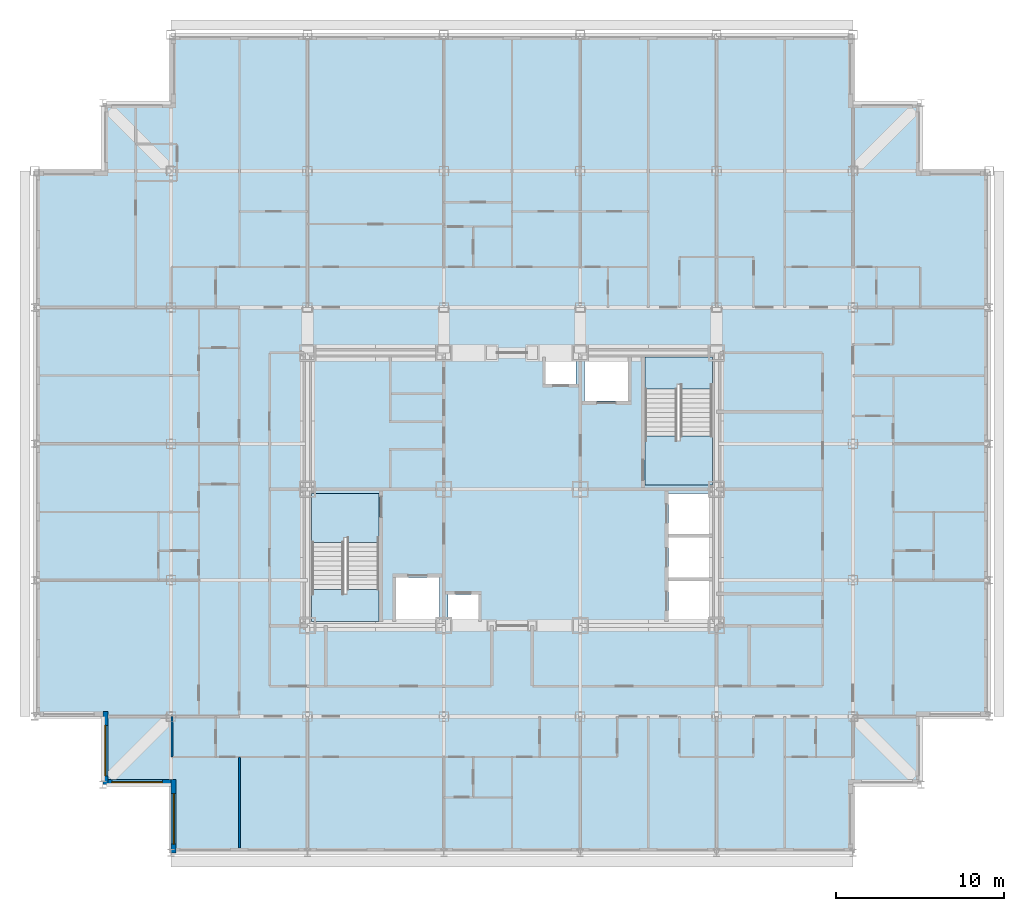
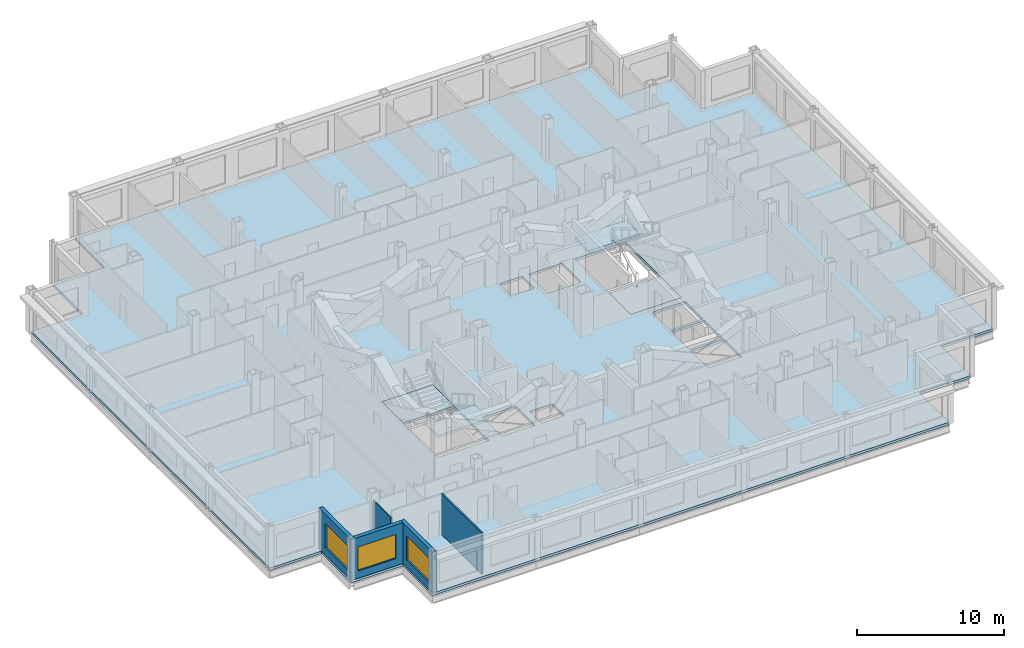
# One storey, part 3 of 12: 5 slabs, 5 walls, 3 windows, 3 openings, 2 elements without a shape of their own.
"""IFC4 building model written with IfcOpenShell, lengths in metres."""

import ifcopenshell
import ifcopenshell.guid

model = None  # the IFC model being written
_history = None  # IfcOwnerHistory: only IFC2X3 demands one
_inside = {}  # id of a spatial element -> (the spatial element, [elements in it])
_under = {}  # id of a project, library or spatial element -> (it, [spatial elements below it])
_declared = {}  # id of a project -> (the project, [libraries it declares])
_typed = {}  # id of a type object -> (the type object, [elements of that type])
_made_of = {}  # id of a material, layer set ... -> (it, [elements and type objects made of it])


def new_model(schema):
    """Start an empty IFC model of exactly this schema.

    Asked for "IFC4X3", IfcOpenShell would pick the latest addendum, in which some entities
    have other attributes; the version numbers below select the first issue.
    IFC2X3 requires an IfcOwnerHistory on every rooted entity: one is made here for all.
    """
    global model, _history
    if schema == "IFC4X3":
        model = ifcopenshell.file(schema_version=(4, 3, 0, 0))
    else:
        model = ifcopenshell.file(schema=schema)
    _inside.clear()
    _under.clear()
    _declared.clear()
    _typed.clear()
    _made_of.clear()
    _history = None
    if model.schema == "IFC2X3":
        org = make("IfcOrganization", Name="unknown")
        user = make(
            "IfcPersonAndOrganization",
            ThePerson=make("IfcPerson", FamilyName="unknown"),
            TheOrganization=org,
        )
        app = make(
            "IfcApplication",
            ApplicationDeveloper=org,
            Version="unknown",
            ApplicationFullName="unknown",
            ApplicationIdentifier="unknown",
        )
        _history = make(
            "IfcOwnerHistory",
            OwningUser=user,
            OwningApplication=app,
            ChangeAction="ADDED",
            CreationDate=0,
        )
    return model


def make(cls, **values):
    """One entity of the class cls with the attributes given. An attribute that is None is left unset."""
    return model.create_entity(
        cls, **{name: value for name, value in values.items() if value is not None}
    )


def rooted(cls, **values):
    """An entity with a GlobalId (a new one), such as an element, a storey or a relation."""
    return make(cls, GlobalId=ifcopenshell.guid.new(), OwnerHistory=_history, **values)


def si_unit(unit_type, name, prefix=None):
    """IfcSIUnit, for example si_unit("LENGTHUNIT", "METRE", prefix="MILLI")."""
    return make("IfcSIUnit", UnitType=unit_type, Prefix=prefix, Name=name)


def assignment(units):
    """IfcUnitAssignment: the units of a project."""
    return None if units is None else make("IfcUnitAssignment", Units=units)


def point(xyz):
    """IfcCartesianPoint."""
    return None if xyz is None else make("IfcCartesianPoint", Coordinates=xyz)


def direction(xyz):
    """IfcDirection."""
    return None if xyz is None else make("IfcDirection", DirectionRatios=xyz)


def frame(location, z_axis=None, x_axis=None):
    """IfcAxis2Placement3D, a coordinate frame: its origin and axes. An axis left out is left unset."""
    return make(
        "IfcAxis2Placement3D",
        Location=point(location),
        Axis=direction(z_axis),
        RefDirection=direction(x_axis),
    )


def frame_2d(location, x_axis=None):
    """IfcAxis2Placement2D, a coordinate frame in the plane: its origin and x axis."""
    return make(
        "IfcAxis2Placement2D", Location=point(location), RefDirection=direction(x_axis)
    )


def origin():
    """The frame at (0, 0, 0) with its axes left unset."""
    return frame((0.0, 0.0, 0.0))


def place(relative_to, where):
    """IfcLocalPlacement: puts the frame where relative to a parent placement (None: the world)."""
    return make(
        "IfcLocalPlacement", PlacementRelTo=relative_to, RelativePlacement=where
    )


def context(
    kind, dimensions, precision=None, world=None, true_north=None, identifier=None
):
    """IfcGeometricRepresentationContext, for example the 3D "Model" context."""
    return make(
        "IfcGeometricRepresentationContext",
        ContextIdentifier=identifier,
        ContextType=kind,
        CoordinateSpaceDimension=dimensions,
        Precision=precision,
        WorldCoordinateSystem=world,
        TrueNorth=true_north,
    )


def subcontext(parent, identifier, kind, view, scale=None):
    """IfcGeometricRepresentationSubContext, for example "Body" below "Model"."""
    return make(
        "IfcGeometricRepresentationSubContext",
        ContextIdentifier=identifier,
        ContextType=kind,
        ParentContext=parent,
        TargetScale=scale,
        TargetView=view,
    )


def project(units=None, contexts=None):
    """IfcProject with its units and contexts."""
    return rooted(
        "IfcProject",
        Name="project",
        RepresentationContexts=contexts,
        UnitsInContext=assignment(units),
    )


def spatial(cls, under=None, at=None, **own):
    """A site, building, storey or space (cls), placed at a placement, below another one or the project."""
    s = rooted(cls, ObjectPlacement=at, **own)
    if under is not None:
        _under.setdefault(under.id(), (under, []))[1].append(s)
    return s


def polyline(points):
    """IfcPolyline through the points."""
    return make("IfcPolyline", Points=[point(p) for p in points])


def profile(cls, at=None, kind="AREA", **sizes):
    """A parametric profile (cls). Its sizes go by their IFC names, for example OverallWidth=200.0."""
    return make(cls, ProfileType=kind, Position=at, **sizes)


def rectangle(**sizes):
    """IfcRectangleProfileDef."""
    return profile("IfcRectangleProfileDef", **sizes)


def outline(outer, holes=None, kind="AREA"):
    """IfcArbitraryClosedProfileDef: a profile drawn as a closed curve; with holes, ...WithVoids."""
    if holes is None:
        return make("IfcArbitraryClosedProfileDef", ProfileType=kind, OuterCurve=outer)
    return make(
        "IfcArbitraryProfileDefWithVoids",
        ProfileType=kind,
        OuterCurve=outer,
        InnerCurves=holes,
    )


def extrude(swept, where, along, depth):
    """IfcExtrudedAreaSolid: the profile swept, set in the frame where, extruded along a direction by depth."""
    return make(
        "IfcExtrudedAreaSolid",
        SweptArea=swept,
        Position=where,
        ExtrudedDirection=direction(along),
        Depth=depth,
    )


def shape(context_of_items, identifier, shape_type, items):
    """IfcShapeRepresentation: the items that make up one representation, for example the "Body"."""
    return make(
        "IfcShapeRepresentation",
        ContextOfItems=context_of_items,
        RepresentationIdentifier=identifier,
        RepresentationType=shape_type,
        Items=items,
    )


def material(Name=None, Category=None):
    """IfcMaterial."""
    return make("IfcMaterial", Name=Name, Category=Category)


def layer(
    of_material, thickness, ventilated=None, Name=None, Category=None, Priority=None
):
    """IfcMaterialLayer: one layer of a wall or slab, of a material (None: an air gap)."""
    return make(
        "IfcMaterialLayer",
        Material=of_material,
        LayerThickness=thickness,
        IsVentilated=ventilated,
        Name=Name,
        Category=Category,
        Priority=Priority,
    )


def layer_set(layers, Name=None):
    """IfcMaterialLayerSet."""
    return make("IfcMaterialLayerSet", MaterialLayers=layers, LayerSetName=Name)


def made_of(thing, what):
    """Note that an element or type object is made of a material, layer set ...; save() writes the relation."""
    if what is not None:
        _made_of.setdefault(what.id(), (what, []))[1].append(thing)
    return thing


def type_object(cls, material=None, **own):
    """A type object (cls), such as IfcWallType, which elements share."""
    return made_of(rooted(cls, **own), material)


def element(
    cls,
    number,
    at=None,
    inside=None,
    cuts=None,
    type_object=None,
    material=None,
    context=None,
    identifier="Body",
    shape_type=None,
    held_by="IfcProductDefinitionShape",
    body=None,
    shapes=None,
    **own,
):
    """One element of the class cls, such as IfcWall. Its Tag is "e" and its number.

    at: its placement. inside: the storey or other place that contains it. cuts: it is an
    opening in that element (IfcRelVoidsElement). A single representation is given by context,
    identifier, shape_type and body (its items); several are given by shapes. held_by: the class
    of the entity that holds the representations. save() writes the other relations.
    """
    e = rooted(cls, Tag="e%d" % number, ObjectPlacement=at, **own)
    if body is not None:
        shapes = [shape(context, identifier, shape_type, body)]
    if shapes is not None:
        e.Representation = make(held_by, Representations=shapes)
    if inside is not None:
        _inside.setdefault(inside.id(), (inside, []))[1].append(e)
    if cuts is not None:
        rooted(
            "IfcRelVoidsElement", RelatingBuildingElement=cuts, RelatedOpeningElement=e
        )
    if type_object is not None:
        _typed.setdefault(type_object.id(), (type_object, []))[1].append(e)
    return made_of(e, material)


def fill(opening, filler):
    """IfcRelFillsElement: the door or window that sits in an opening."""
    return rooted(
        "IfcRelFillsElement",
        RelatingOpeningElement=opening,
        RelatedBuildingElement=filler,
    )


def aggregate(whole, parts):
    """IfcRelAggregates: a whole, such as a stair, and the parts it consists of."""
    return rooted("IfcRelAggregates", RelatingObject=whole, RelatedObjects=parts)


def save(model, path):
    """Write the relations noted so far, then the file.

    IfcRelAggregates (storeys below a building ...), IfcRelContainedInSpatialStructure (elements
    in a storey), IfcRelDefinesByType, IfcRelAssociatesMaterial and IfcRelDeclares: one each for
    every whole, place, type object, material and project.
    """
    for whole, parts in _under.values():
        aggregate(whole, parts)
    for where, things in _inside.values():
        rooted(
            "IfcRelContainedInSpatialStructure",
            RelatedElements=things,
            RelatingStructure=where,
        )
    for kind, things in _typed.values():
        rooted("IfcRelDefinesByType", RelatedObjects=things, RelatingType=kind)
    for what, things in _made_of.values():
        rooted("IfcRelAssociatesMaterial", RelatedObjects=things, RelatingMaterial=what)
    for by, libraries in _declared.values():
        rooted("IfcRelDeclares", RelatingContext=by, RelatedDefinitions=libraries)
    model.write(path)


model = new_model("IFC4")

# Units and contexts
model_context = context("Model", 3, precision=1e-05, world=origin(), true_north=direction((0.0, 1.0)))
body_context = subcontext(model_context, "Body", "Model", "MODEL_VIEW")
ifc_project = project(units=[si_unit("LENGTHUNIT", "METRE"), si_unit("AREAUNIT", "SQUARE_METRE"), si_unit("VOLUMEUNIT", "CUBIC_METRE"), si_unit("PLANEANGLEUNIT", "RADIAN"), si_unit("MASSUNIT", "GRAM", prefix="KILO")], contexts=[model_context])

# Site, building, storey
site_placement = place(None, origin())
site = spatial("IfcSite", under=ifc_project, at=site_placement, CompositionType="ELEMENT")
building_placement = place(site_placement, origin())
building = spatial("IfcBuilding", under=site, at=building_placement, Name="Kopane Lantern Tower", CompositionType="ELEMENT")
storey_placement = place(building_placement, frame((0.0, 0.0, 217.199951171875)))
storey = spatial("IfcBuildingStorey", under=building, at=storey_placement, Name="L56", CompositionType="ELEMENT", Elevation=217.199951171875)

# Slab
ifc_material_1 = material(Name="Concrete C40/50", Category="concrete")
ifc_layer_1 = layer(ifc_material_1, 0.2099609375)
ifc_layer_set_1 = layer_set([ifc_layer_1], Name="SLAB 210 COMPOSITE")
slab_type_1 = type_object("IfcSlabType", Name="SLAB 210 COMPOSITE", PredefinedType="FLOOR", material=ifc_layer_set_1)
slab_1_placement = place(storey_placement, frame((0.0, 0.0, -0.2099609375)))
element("IfcSlab", 1, at=slab_1_placement, inside=storey, type_object=slab_type_1, Name="Floor slab L56", PredefinedType="FLOOR", context=body_context, shape_type="SweptSolid", body=[
    extrude(outline(polyline([(8.10009765625, 10.800048828125), (48.60009765625, 10.800048828125), (48.60009765625, 14.85009765625), (52.64990234375, 14.85009765625), (52.64990234375, 18.89990234375), (56.699951171875, 18.89990234375), (56.699951171875, 51.300048828125), (52.64990234375, 51.300048828125), (52.64990234375, 55.35009765625), (48.60009765625, 55.35009765625), (48.60009765625, 59.39990234375), (8.10009765625, 59.39990234375), (8.10009765625, 55.35009765625), (4.050048828125, 55.35009765625), (4.050048828125, 51.300048828125), (0.0, 51.300048828125), (0.0, 18.89990234375), (4.050048828125, 18.89990234375), (4.050048828125, 14.85009765625), (8.10009765625, 14.85009765625), (8.10009765625, 10.800048828125)]), holes=[polyline([(16.449951171875, 24.550048828125), (20.449951171875, 24.550048828125), (20.449951171875, 32.14990234375), (16.449951171875, 32.14990234375), (16.449951171875, 24.550048828125)]), polyline([(36.25, 32.64990234375), (40.25, 32.64990234375), (40.25, 40.25), (36.25, 40.25), (36.25, 32.64990234375)]), polyline([(37.64990234375, 24.550048828125), (40.25, 24.550048828125), (40.25, 26.949951171875), (37.64990234375, 26.949951171875), (37.64990234375, 24.550048828125)]), polyline([(37.64990234375, 27.14990234375), (40.25, 27.14990234375), (40.25, 29.550048828125), (37.64990234375, 29.550048828125), (37.64990234375, 27.14990234375)]), polyline([(37.64990234375, 29.75), (40.25, 29.75), (40.25, 32.14990234375), (37.64990234375, 32.14990234375), (37.64990234375, 29.75)]), polyline([(21.449951171875, 24.550048828125), (24.050048828125, 24.550048828125), (24.050048828125, 27.14990234375), (21.449951171875, 27.14990234375), (21.449951171875, 24.550048828125)]), polyline([(32.64990234375, 37.64990234375), (35.25, 37.64990234375), (35.25, 40.25), (32.64990234375, 40.25), (32.64990234375, 37.64990234375)]), polyline([(24.550048828125, 24.550048828125), (26.35009765625, 24.550048828125), (26.35009765625, 26.14990234375), (24.550048828125, 26.14990234375), (24.550048828125, 24.550048828125)]), polyline([(30.35009765625, 38.64990234375), (32.14990234375, 38.64990234375), (32.14990234375, 40.25), (30.35009765625, 40.25), (30.35009765625, 38.64990234375)])]), origin(), (0.0, 0.0, 1.0), 0.2099609375),
])

# Stair, slabs
ifc_material_2 = material(Name="Steel S355JR", Category="steel")
stair_type = type_object("IfcStairType", Name="EXIT STAIR 1900 HALF TURN", PredefinedType="HALF_TURN_STAIR", material=ifc_material_2)
stair_1_placement = place(storey_placement, origin())
stair_1 = element("IfcStair", 2, at=stair_1_placement, inside=storey, type_object=stair_type, Name="Exit stair ST1 L56", PredefinedType="HALF_TURN_STAIR")
ifc_material_3 = material(Name="Concrete C40/50", Category="concrete")
ifc_layer_2 = layer(ifc_material_3, 0.199951171875)
ifc_layer_set_2 = layer_set([ifc_layer_2], Name="STAIR LANDING 200")
slab_type_2 = type_object("IfcSlabType", Name="STAIR LANDING 200", PredefinedType="LANDING", material=ifc_layer_set_2)
slab_2_placement = place(storey_placement, frame((0.0, 0.0, -0.199951171875)))
slab_2 = element("IfcSlab", 3, at=slab_2_placement, type_object=slab_type_2, Name="ST1 landing 1", PredefinedType="LANDING", context=body_context, shape_type="SweptSolid", body=[
    extrude(outline(polyline([(18.35009765625, 29.530029296875), (18.550048828125, 29.530029296875), (18.550048828125, 29.25), (20.449951171875, 29.25), (20.449951171875, 32.14990234375), (16.449951171875, 32.14990234375), (16.449951171875, 29.25), (18.35009765625, 29.25), (18.35009765625, 29.530029296875)])), origin(), (0.0, 0.0, 1.0), 0.199951171875),
])
slab_3_placement = place(storey_placement, frame((0.0, 0.0, 1.60009765625)))
slab_3 = element("IfcSlab", 4, at=slab_3_placement, type_object=slab_type_2, Name="ST1 landing 2", PredefinedType="LANDING", context=body_context, shape_type="SweptSolid", body=[
    extrude(outline(polyline([(20.449951171875, 26.449951171875), (18.550048828125, 26.449951171875), (18.550048828125, 26.169921875), (18.35009765625, 26.169921875), (18.35009765625, 26.449951171875), (16.449951171875, 26.449951171875), (16.449951171875, 24.550048828125), (20.449951171875, 24.550048828125), (20.449951171875, 26.449951171875)])), origin(), (0.0, 0.0, 1.0), 0.199951171875),
])
aggregate(stair_1, [slab_2, slab_3])

stair_2_placement = place(storey_placement, origin())
stair_2 = element("IfcStair", 5, at=stair_2_placement, inside=storey, type_object=stair_type, Name="Exit stair ST2 L56", PredefinedType="HALF_TURN_STAIR")
slab_4_placement = place(storey_placement, frame((0.0, 0.0, -0.199951171875)))
slab_4 = element("IfcSlab", 6, at=slab_4_placement, type_object=slab_type_2, Name="ST2 landing 1", PredefinedType="LANDING", context=body_context, shape_type="SweptSolid", body=[
    extrude(outline(polyline([(40.25, 35.550048828125), (38.35009765625, 35.550048828125), (38.35009765625, 35.27001953125), (38.14990234375, 35.27001953125), (38.14990234375, 35.550048828125), (36.25, 35.550048828125), (36.25, 32.64990234375), (40.25, 32.64990234375), (40.25, 35.550048828125)])), origin(), (0.0, 0.0, 1.0), 0.199951171875),
])
slab_5_placement = place(storey_placement, frame((0.0, 0.0, 1.60009765625)))
slab_5 = element("IfcSlab", 7, at=slab_5_placement, type_object=slab_type_2, Name="ST2 landing 2", PredefinedType="LANDING", context=body_context, shape_type="SweptSolid", body=[
    extrude(outline(polyline([(38.14990234375, 38.6298828125), (38.35009765625, 38.6298828125), (38.35009765625, 38.35009765625), (40.25, 38.35009765625), (40.25, 40.25), (36.25, 40.25), (36.25, 38.35009765625), (38.14990234375, 38.35009765625), (38.14990234375, 38.6298828125)])), origin(), (0.0, 0.0, 1.0), 0.199951171875),
])
aggregate(stair_2, [slab_4, slab_5])

# Walls
ifc_material_4 = material(Name="Gypsum board on steel studs", Category="steel")
ifc_layer_3 = layer(ifc_material_4, 0.1201171875)
ifc_layer_set_3 = layer_set([ifc_layer_3], Name="APARTMENT INTERNAL WALL 120")
wall_type_1 = type_object("IfcWallType", Name="APARTMENT INTERNAL WALL 120", PredefinedType="PARTITIONING", material=ifc_layer_set_3)
wall_1_placement = place(storey_placement, frame((12.14990234375, 16.5, 0.0), z_axis=(0.0, 0.0, 1.0), x_axis=(0.0, -1.0, 0.0)))
element("IfcWall", 8, at=wall_1_placement, inside=storey, type_object=wall_type_1, Name="Apartment Internal Wall 120 L56", PredefinedType="PARTITIONING", context=body_context, shape_type="SweptSolid", body=[
    extrude(rectangle(XDim=5.39990234375, YDim=0.1201171875, at=frame_2d((2.699951171875, 0.0))), origin(), (0.0, 0.0, 1.0), 3.39013671875),
])
ifc_material_5 = material(Name="Moisture-resistant board on steel studs", Category="steel")
ifc_layer_4 = layer(ifc_material_5, 0.10009765625)
ifc_layer_set_4 = layer_set([ifc_layer_4], Name="BATHROOM WALL 100")
wall_type_2 = type_object("IfcWallType", Name="BATHROOM WALL 100", PredefinedType="PARTITIONING", material=ifc_layer_set_4)
wall_2_placement = place(storey_placement, frame((8.14990234375, 18.89990234375, 0.0), z_axis=(0.0, 0.0, 1.0), x_axis=(0.0, -1.0, 0.0)))
element("IfcWall", 9, at=wall_2_placement, inside=storey, type_object=wall_type_2, Name="Bathroom Wall 100 L56", PredefinedType="PARTITIONING", context=body_context, shape_type="SweptSolid", body=[
    extrude(rectangle(XDim=2.39990234375, YDim=0.10009765625, at=frame_2d((1.199951171875, 0.0))), origin(), (0.0, 0.0, 1.0), 2.77783203125),
])

# Wall, opening, window
ifc_material_6 = material(Name="Terracotta rainscreen on light steel framing", Category="masonry")
ifc_layer_5 = layer(ifc_material_6, 0.300048828125)
ifc_layer_set_5 = layer_set([ifc_layer_5], Name="EXTERNAL WALL EW1 300 TERRACOTTA")
wall_type_3 = type_object("IfcWallType", Name="EXTERNAL WALL EW1 300 TERRACOTTA", PredefinedType="SOLIDWALL", material=ifc_layer_set_5)
wall_3_placement = place(storey_placement, frame((4.199951171875, 19.199951171875, 0.0), z_axis=(0.0, 0.0, 1.0), x_axis=(0.0, -1.0, 0.0)))
wall_3 = element("IfcWall", 10, at=wall_3_placement, inside=storey, type_object=wall_type_3, Name="External wall W L56", PredefinedType="SOLIDWALL", context=body_context, shape_type="SweptSolid", body=[
    extrude(rectangle(XDim=4.349853515625, YDim=0.300048828125, at=frame_2d((2.1748046875, 0.0))), origin(), (0.0, 0.0, 1.0), 3.39013671875),
])
opening_1_placement = place(wall_3_placement, frame((0.824951171875, 0.0, 0.60009765625)))
opening_1 = element("IfcOpeningElement", 11, at=opening_1_placement, cuts=wall_3, Name="Opening WR300200", PredefinedType="OPENING", context=body_context, shape_type="SweptSolid", body=[
    extrude(rectangle(XDim=3.0, YDim=2.0, at=frame_2d((1.5, 1.0))), frame((0.0, 0.159912109375, 0.0), z_axis=(0.0, -1.0, 0.0), x_axis=(1.0, 0.0, 0.0)), (0.0, 0.0, 1.0), 0.320068359375),
])
ifc_material_7 = material(Name="Aluminium and clear glass", Category="aluminium")
window_type = type_object("IfcWindowType", Name="RIBBON WINDOW WR300200 3000x2000", PartitioningType="SINGLE_PANEL", PredefinedType="WINDOW", material=ifc_material_7)
window_1_placement = place(opening_1_placement, origin())
window_1 = element("IfcWindow", 12, at=window_1_placement, inside=storey, type_object=window_type, Name="Window W L56", OverallHeight=2.0, OverallWidth=3.0, PartitioningType="SINGLE_PANEL", PredefinedType="WINDOW", context=body_context, shape_type="SweptSolid", body=[
    extrude(rectangle(XDim=3.0, YDim=2.0, at=frame_2d((1.5, 1.0))), frame((0.0, 0.030029296875, 0.0), z_axis=(0.0, -1.0, 0.0), x_axis=(1.0, 0.0, 0.0)), (0.0, 0.0, 1.0), 0.06005859375),
])
fill(opening_1, window_1)

wall_4_placement = place(storey_placement, frame((4.35009765625, 15.0, 0.0), z_axis=(0.0, 0.0, 1.0), x_axis=(1.0, 0.0, 0.0)))
wall_4 = element("IfcWall", 13, at=wall_4_placement, inside=storey, type_object=wall_type_3, Name="External wall S L56", PredefinedType="SOLIDWALL", context=body_context, shape_type="SweptSolid", body=[
    extrude(rectangle(XDim=3.75, YDim=0.300048828125, at=frame_2d((1.875, 0.0))), origin(), (0.0, 0.0, 1.0), 3.39013671875),
])
opening_2_placement = place(wall_4_placement, frame((0.22509765625, 0.0, 0.60009765625)))
opening_2 = element("IfcOpeningElement", 14, at=opening_2_placement, cuts=wall_4, Name="Opening WR300200", PredefinedType="OPENING", context=body_context, shape_type="SweptSolid", body=[
    extrude(rectangle(XDim=3.0, YDim=2.0, at=frame_2d((1.5, 1.0))), frame((0.0, 0.159912109375, 0.0), z_axis=(0.0, -1.0, 0.0), x_axis=(1.0, 0.0, 0.0)), (0.0, 0.0, 1.0), 0.320068359375),
])
window_2_placement = place(opening_2_placement, origin())
window_2 = element("IfcWindow", 15, at=window_2_placement, inside=storey, type_object=window_type, Name="Window S L56", OverallHeight=2.0, OverallWidth=3.0, PartitioningType="SINGLE_PANEL", PredefinedType="WINDOW", context=body_context, shape_type="SweptSolid", body=[
    extrude(rectangle(XDim=3.0, YDim=2.0, at=frame_2d((1.5, 1.0))), frame((0.0, 0.030029296875, 0.0), z_axis=(0.0, -1.0, 0.0), x_axis=(1.0, 0.0, 0.0)), (0.0, 0.0, 1.0), 0.06005859375),
])
fill(opening_2, window_2)

wall_5_placement = place(storey_placement, frame((8.25, 15.14990234375, 0.0), z_axis=(0.0, 0.0, 1.0), x_axis=(0.0, -1.0, 0.0)))
wall_5 = element("IfcWall", 16, at=wall_5_placement, inside=storey, type_object=wall_type_3, Name="External wall W L56", PredefinedType="SOLIDWALL", context=body_context, shape_type="SweptSolid", body=[
    extrude(rectangle(XDim=4.349853515625, YDim=0.300048828125, at=frame_2d((2.1748046875, 0.0))), origin(), (0.0, 0.0, 1.0), 3.39013671875),
])
opening_3_placement = place(wall_5_placement, frame((0.824951171875, 0.0, 0.60009765625)))
opening_3 = element("IfcOpeningElement", 17, at=opening_3_placement, cuts=wall_5, Name="Opening WR300200", PredefinedType="OPENING", context=body_context, shape_type="SweptSolid", body=[
    extrude(rectangle(XDim=3.0, YDim=2.0, at=frame_2d((1.5, 1.0))), frame((0.0, 0.159912109375, 0.0), z_axis=(0.0, -1.0, 0.0), x_axis=(1.0, 0.0, 0.0)), (0.0, 0.0, 1.0), 0.320068359375),
])
window_3_placement = place(opening_3_placement, origin())
window_3 = element("IfcWindow", 18, at=window_3_placement, inside=storey, type_object=window_type, Name="Window W L56", OverallHeight=2.0, OverallWidth=3.0, PartitioningType="SINGLE_PANEL", PredefinedType="WINDOW", context=body_context, shape_type="SweptSolid", body=[
    extrude(rectangle(XDim=3.0, YDim=2.0, at=frame_2d((1.5, 1.0))), frame((0.0, 0.030029296875, 0.0), z_axis=(0.0, -1.0, 0.0), x_axis=(1.0, 0.0, 0.0)), (0.0, 0.0, 1.0), 0.06005859375),
])
fill(opening_3, window_3)

save(model, "model.ifc")
